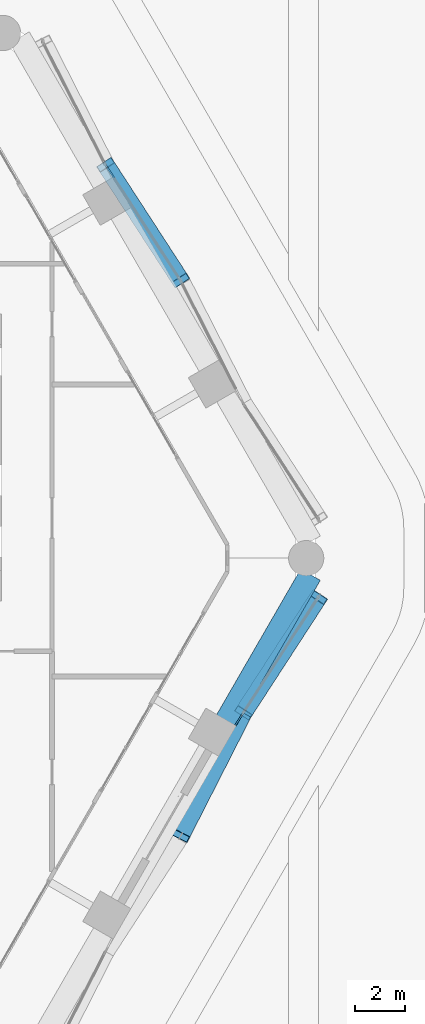
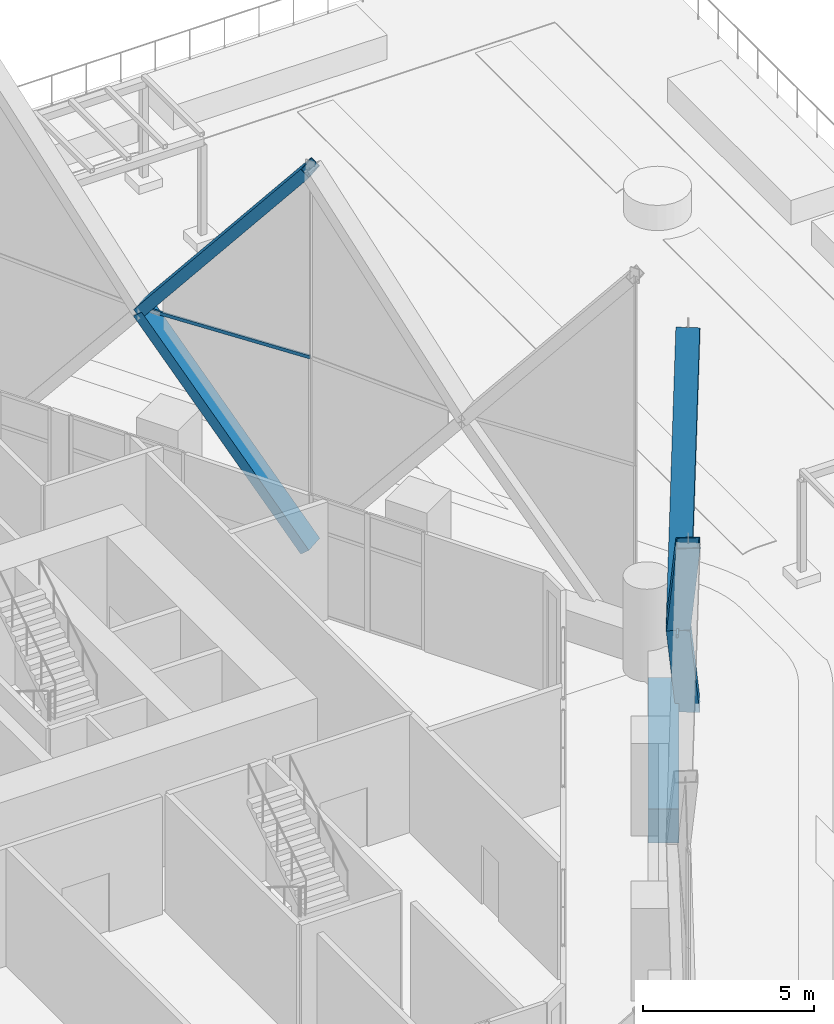
# One storey, part 35 of 71: 7 members, 1 beam, 2 elements without a shape of their own.
"""IFC4 building model written with IfcOpenShell, lengths in metres."""

from ifc_helpers import new_model, si_unit, direction, frame, origin, origin_2d, place, context, subcontext, project, spatial, rectangle, hollow_rectangle, extrude, material, material_profile, profile_set, type_object, element, aggregate, save


model = new_model("IFC4")

# Units and contexts
model_context = context("Model", 3, precision=1e-05, world=origin(), true_north=direction((0.0, 1.0)))
body_context = subcontext(model_context, "Body", "Model", "MODEL_VIEW")
ifc_project = project(units=[si_unit("LENGTHUNIT", "METRE"), si_unit("AREAUNIT", "SQUARE_METRE"), si_unit("VOLUMEUNIT", "CUBIC_METRE"), si_unit("PLANEANGLEUNIT", "RADIAN"), si_unit("MASSUNIT", "GRAM", prefix="KILO")], contexts=[model_context])

# Site, building, storey
site_placement = place(None, origin())
site = spatial("IfcSite", under=ifc_project, at=site_placement, CompositionType="ELEMENT")
building_placement = place(site_placement, origin())
building = spatial("IfcBuilding", under=site, at=building_placement, Name="Ostrander Bayou Hotel Tower", CompositionType="ELEMENT")
storey_placement = place(building_placement, frame((0.0, 0.0, 10.0)))
storey = spatial("IfcBuildingStorey", under=building, at=storey_placement, Name="L02", CompositionType="ELEMENT", Elevation=10.0)

# Curtain wall, member
ifc_material_1 = material(Name="Aluminium and clear glass", Category="aluminium")
curtain_wall_type = type_object("IfcCurtainWallType", Name="CW-LAT lattice glazing", PredefinedType="NOTDEFINED", material=ifc_material_1)
curtain_wall_1_placement = place(storey_placement, origin())
curtain_wall_1 = element("IfcCurtainWall", 1, at=curtain_wall_1_placement, inside=storey, type_object=curtain_wall_type, Name="CW-LAT L02 SE 2", PredefinedType="NOTDEFINED")
ifc_material_2 = material(Name="Aluminium", Category="aluminium")
ifc_material_profile_1 = material_profile(ifc_material_2, hollow_rectangle(XDim=0.06005859375, YDim=0.1201171875, WallThickness=0.00390625, at=origin_2d()))
ifc_profile_set_1 = profile_set([ifc_material_profile_1], Name="Aluminium")
member_type_1 = type_object("IfcMemberType", Name="CW-LA transom 60 x 120 mm", PredefinedType="USERDEFINED", material=ifc_profile_set_1)
member_1_placement = place(storey_placement, frame((24.58837890625, -1.551513671875, 6.14990234375), z_axis=(-0.544652890505, -0.838661569922, 0.0), x_axis=(0.838661569922, -0.544652890505, 0.0)))
member_1 = element("IfcMember", 2, at=member_1_placement, type_object=member_type_1, Name="CW-LAT transom 6", ObjectType="TRANSOM", PredefinedType="USERDEFINED", context=body_context, shape_type="SweptSolid", body=[
    extrude(hollow_rectangle(XDim=0.06005859375, YDim=0.1201171875, WallThickness=0.00390625, at=origin_2d()), origin(), (0.0, 0.0, 1.0), 6.0634765625),
])
aggregate(curtain_wall_1, [member_1])

curtain_wall_2_placement = place(storey_placement, origin())
curtain_wall_2 = element("IfcCurtainWall", 3, at=curtain_wall_2_placement, inside=storey, type_object=curtain_wall_type, Name="CW-LAT L02 NE 2", PredefinedType="NOTDEFINED")
member_2_placement = place(storey_placement, frame((19.11328125, 11.034912109375, 6.14990234375), z_axis=(-0.544651812438, 0.838662270052, 0.0), x_axis=(-0.838662270052, -0.544651812438, 0.0)))
member_2 = element("IfcMember", 4, at=member_2_placement, type_object=member_type_1, Name="CW-LAT transom 7", ObjectType="TRANSOM", PredefinedType="USERDEFINED", context=body_context, shape_type="SweptSolid", body=[
    extrude(hollow_rectangle(XDim=0.06005859375, YDim=0.1201171875, WallThickness=0.00390625, at=origin_2d()), origin(), (0.0, 0.0, 1.0), 5.48291015625),
])
aggregate(curtain_wall_2, [member_2])

# Members
ifc_material_3 = material(Name="Steel ASTM A572 Gr 50", Category="steel")
ifc_material_profile_2 = material_profile(ifc_material_3, hollow_rectangle(XDim=0.699951171875, YDim=0.35009765625, WallThickness=0.02490234375, at=origin_2d()))
ifc_profile_set_2 = profile_set([ifc_material_profile_2], Name="Steel ASTM A572 Gr 50")
member_type_2 = type_object("IfcMemberType", Name="LT1 lattice member box 700 x 350 x 25 mm", PredefinedType="BRACE", material=ifc_profile_set_2)
member_3_placement = place(storey_placement, frame((21.602294921875, -6.14990234375, 6.14990234375), z_axis=(-0.28622400012, -0.561751448592, 0.776215905377), x_axis=(0.891008230346, -0.453987151201, 0.0)))
element("IfcMember", 5, at=member_3_placement, inside=storey, type_object=member_type_2, Name="LT1 L02 SE 4", PredefinedType="BRACE", context=body_context, shape_type="SweptSolid", body=[
    extrude(hollow_rectangle(XDim=0.699951171875, YDim=0.35009765625, WallThickness=0.02490234375, at=origin_2d()), origin(), (0.0, 0.0, 1.0), 8.696044921875),
])
for number, where, z_axis, x_axis, name in (
    (6, (21.602294921875, -6.14990234375, 6.14990234375), (0.343376932244, 0.528779700664, -0.776198628296), (-0.838682608864, 0.544620493178, 0.0), "LT1 L02 SE 5"),
    (7, (21.602294921875, -6.14990234375, 6.14990234375), (0.343376932244, 0.528779700664, 0.776198628296), (-0.838682608864, 0.544620493178, 0.0), "LT1 L02 SE 6"),
    (8, (16.126953125, 15.63330078125, 6.14990234375), (0.343401696022, -0.528774603055, -0.776191145488), (0.838662270052, 0.544651812438, 0.0), "LT1 L02 NE 5"),
    (9, (16.126953125, 15.63330078125, 6.14990234375), (0.343401696022, -0.528774603055, 0.776191145488), (0.838662270052, 0.544651812438, 0.0), "LT1 L02 NE 6"),
):
    element("IfcMember", number, at=place(storey_placement, frame(where, z_axis=z_axis, x_axis=x_axis)), inside=storey, type_object=member_type_2, Name=name, PredefinedType="BRACE", context=body_context, shape_type="SweptSolid", body=[
        extrude(hollow_rectangle(XDim=0.699951171875, YDim=0.35009765625, WallThickness=0.02490234375, at=origin_2d()), origin(), (0.0, 0.0, 1.0), 8.6962890625),
    ])

# Beam
ifc_material_4 = material(Name="Concrete f'c 70 MPa", Category="concrete")
ifc_material_profile_3 = material_profile(ifc_material_4, rectangle(XDim=0.89990234375, YDim=1.199951171875, at=origin_2d()))
ifc_profile_set_3 = profile_set([ifc_material_profile_3], Name="Concrete f'c 70 MPa")
beam_type = type_object("IfcBeamType", Name="SP1 spandrel beam 900 x 1200 mm f'c 70 MPa", PredefinedType="SPANDREL", material=ifc_profile_set_3)
beam_placement = place(storey_placement, frame((20.92236328125, -6.46142578125, -0.60009765625), z_axis=(0.500005133765, 0.866022439784, 0.0), x_axis=(-0.866022439784, 0.500005133765, 0.0)))
element("IfcBeam", 10, at=beam_placement, inside=storey, type_object=beam_type, Name="SP1 L02 SE-3", PredefinedType="SPANDREL", context=body_context, shape_type="SweptSolid", body=[
    extrude(rectangle(XDim=0.89990234375, YDim=1.199951171875, at=origin_2d()), origin(), (0.0, 0.0, 1.0), 6.70361328125),
])

save(model, "model.ifc")
